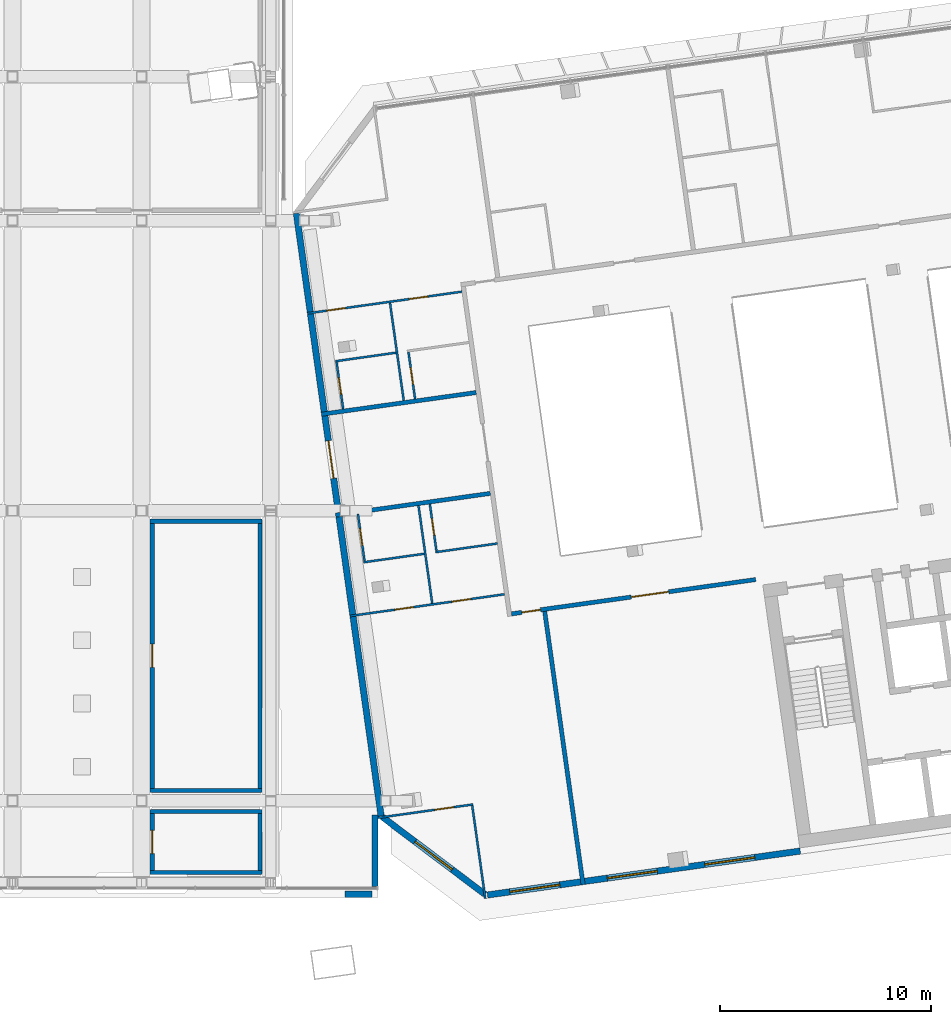
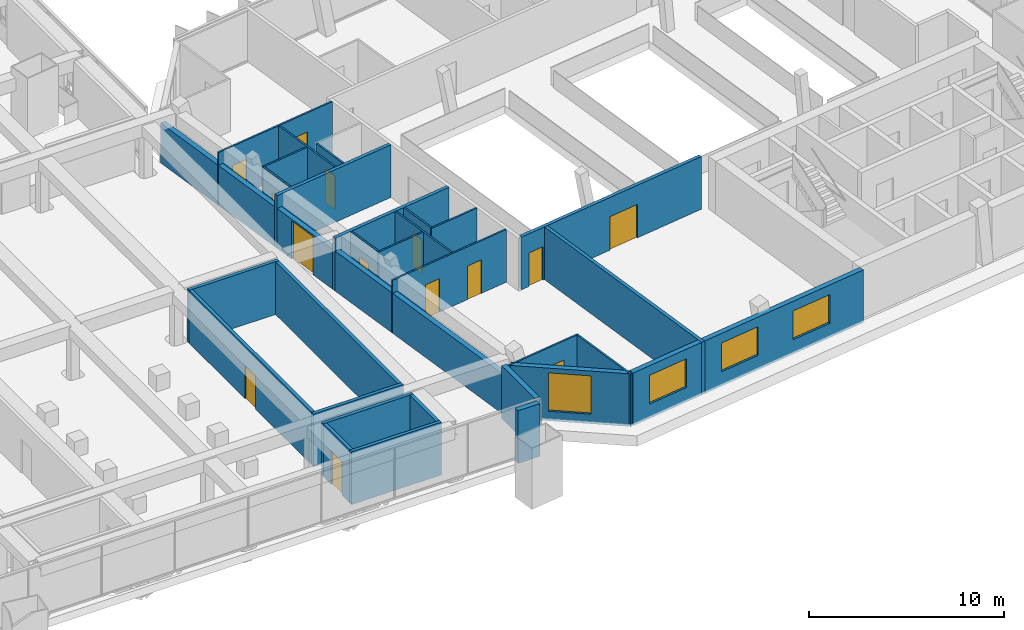
# One storey, part 18 of 28: 30 walls, 14 doors, 4 windows, 18 openings.
"""IFC4 building model written with IfcOpenShell, lengths in metres."""

import ifcopenshell
import ifcopenshell.guid

model = None  # the IFC model being written
_history = None  # IfcOwnerHistory: only IFC2X3 demands one
_inside = {}  # id of a spatial element -> (the spatial element, [elements in it])
_under = {}  # id of a project, library or spatial element -> (it, [spatial elements below it])
_declared = {}  # id of a project -> (the project, [libraries it declares])
_typed = {}  # id of a type object -> (the type object, [elements of that type])
_made_of = {}  # id of a material, layer set ... -> (it, [elements and type objects made of it])


def new_model(schema):
    """Start an empty IFC model of exactly this schema.

    Asked for "IFC4X3", IfcOpenShell would pick the latest addendum, in which some entities
    have other attributes; the version numbers below select the first issue.
    IFC2X3 requires an IfcOwnerHistory on every rooted entity: one is made here for all.
    """
    global model, _history
    if schema == "IFC4X3":
        model = ifcopenshell.file(schema_version=(4, 3, 0, 0))
    else:
        model = ifcopenshell.file(schema=schema)
    _inside.clear()
    _under.clear()
    _declared.clear()
    _typed.clear()
    _made_of.clear()
    _history = None
    if model.schema == "IFC2X3":
        org = make("IfcOrganization", Name="unknown")
        user = make(
            "IfcPersonAndOrganization",
            ThePerson=make("IfcPerson", FamilyName="unknown"),
            TheOrganization=org,
        )
        app = make(
            "IfcApplication",
            ApplicationDeveloper=org,
            Version="unknown",
            ApplicationFullName="unknown",
            ApplicationIdentifier="unknown",
        )
        _history = make(
            "IfcOwnerHistory",
            OwningUser=user,
            OwningApplication=app,
            ChangeAction="ADDED",
            CreationDate=0,
        )
    return model


def make(cls, **values):
    """One entity of the class cls with the attributes given. An attribute that is None is left unset."""
    return model.create_entity(
        cls, **{name: value for name, value in values.items() if value is not None}
    )


def rooted(cls, **values):
    """An entity with a GlobalId (a new one), such as an element, a storey or a relation."""
    return make(cls, GlobalId=ifcopenshell.guid.new(), OwnerHistory=_history, **values)


def si_unit(unit_type, name, prefix=None):
    """IfcSIUnit, for example si_unit("LENGTHUNIT", "METRE", prefix="MILLI")."""
    return make("IfcSIUnit", UnitType=unit_type, Prefix=prefix, Name=name)


def assignment(units):
    """IfcUnitAssignment: the units of a project."""
    return None if units is None else make("IfcUnitAssignment", Units=units)


def point(xyz):
    """IfcCartesianPoint."""
    return None if xyz is None else make("IfcCartesianPoint", Coordinates=xyz)


def direction(xyz):
    """IfcDirection."""
    return None if xyz is None else make("IfcDirection", DirectionRatios=xyz)


def frame(location, z_axis=None, x_axis=None):
    """IfcAxis2Placement3D, a coordinate frame: its origin and axes. An axis left out is left unset."""
    return make(
        "IfcAxis2Placement3D",
        Location=point(location),
        Axis=direction(z_axis),
        RefDirection=direction(x_axis),
    )


def frame_2d(location, x_axis=None):
    """IfcAxis2Placement2D, a coordinate frame in the plane: its origin and x axis."""
    return make(
        "IfcAxis2Placement2D", Location=point(location), RefDirection=direction(x_axis)
    )


def origin():
    """The frame at (0, 0, 0) with its axes left unset."""
    return frame((0.0, 0.0, 0.0))


def place(relative_to, where):
    """IfcLocalPlacement: puts the frame where relative to a parent placement (None: the world)."""
    return make(
        "IfcLocalPlacement", PlacementRelTo=relative_to, RelativePlacement=where
    )


def context(
    kind, dimensions, precision=None, world=None, true_north=None, identifier=None
):
    """IfcGeometricRepresentationContext, for example the 3D "Model" context."""
    return make(
        "IfcGeometricRepresentationContext",
        ContextIdentifier=identifier,
        ContextType=kind,
        CoordinateSpaceDimension=dimensions,
        Precision=precision,
        WorldCoordinateSystem=world,
        TrueNorth=true_north,
    )


def subcontext(parent, identifier, kind, view, scale=None):
    """IfcGeometricRepresentationSubContext, for example "Body" below "Model"."""
    return make(
        "IfcGeometricRepresentationSubContext",
        ContextIdentifier=identifier,
        ContextType=kind,
        ParentContext=parent,
        TargetScale=scale,
        TargetView=view,
    )


def project(units=None, contexts=None):
    """IfcProject with its units and contexts."""
    return rooted(
        "IfcProject",
        Name="project",
        RepresentationContexts=contexts,
        UnitsInContext=assignment(units),
    )


def spatial(cls, under=None, at=None, **own):
    """A site, building, storey or space (cls), placed at a placement, below another one or the project."""
    s = rooted(cls, ObjectPlacement=at, **own)
    if under is not None:
        _under.setdefault(under.id(), (under, []))[1].append(s)
    return s


def profile(cls, at=None, kind="AREA", **sizes):
    """A parametric profile (cls). Its sizes go by their IFC names, for example OverallWidth=200.0."""
    return make(cls, ProfileType=kind, Position=at, **sizes)


def rectangle(**sizes):
    """IfcRectangleProfileDef."""
    return profile("IfcRectangleProfileDef", **sizes)


def extrude(swept, where, along, depth):
    """IfcExtrudedAreaSolid: the profile swept, set in the frame where, extruded along a direction by depth."""
    return make(
        "IfcExtrudedAreaSolid",
        SweptArea=swept,
        Position=where,
        ExtrudedDirection=direction(along),
        Depth=depth,
    )


def shape(context_of_items, identifier, shape_type, items):
    """IfcShapeRepresentation: the items that make up one representation, for example the "Body"."""
    return make(
        "IfcShapeRepresentation",
        ContextOfItems=context_of_items,
        RepresentationIdentifier=identifier,
        RepresentationType=shape_type,
        Items=items,
    )


def material(Name=None, Category=None):
    """IfcMaterial."""
    return make("IfcMaterial", Name=Name, Category=Category)


def layer(
    of_material, thickness, ventilated=None, Name=None, Category=None, Priority=None
):
    """IfcMaterialLayer: one layer of a wall or slab, of a material (None: an air gap)."""
    return make(
        "IfcMaterialLayer",
        Material=of_material,
        LayerThickness=thickness,
        IsVentilated=ventilated,
        Name=Name,
        Category=Category,
        Priority=Priority,
    )


def layer_set(layers, Name=None):
    """IfcMaterialLayerSet."""
    return make("IfcMaterialLayerSet", MaterialLayers=layers, LayerSetName=Name)


def made_of(thing, what):
    """Note that an element or type object is made of a material, layer set ...; save() writes the relation."""
    if what is not None:
        _made_of.setdefault(what.id(), (what, []))[1].append(thing)
    return thing


def type_object(cls, material=None, **own):
    """A type object (cls), such as IfcWallType, which elements share."""
    return made_of(rooted(cls, **own), material)


def element(
    cls,
    number,
    at=None,
    inside=None,
    cuts=None,
    type_object=None,
    material=None,
    context=None,
    identifier="Body",
    shape_type=None,
    held_by="IfcProductDefinitionShape",
    body=None,
    shapes=None,
    **own,
):
    """One element of the class cls, such as IfcWall. Its Tag is "e" and its number.

    at: its placement. inside: the storey or other place that contains it. cuts: it is an
    opening in that element (IfcRelVoidsElement). A single representation is given by context,
    identifier, shape_type and body (its items); several are given by shapes. held_by: the class
    of the entity that holds the representations. save() writes the other relations.
    """
    e = rooted(cls, Tag="e%d" % number, ObjectPlacement=at, **own)
    if body is not None:
        shapes = [shape(context, identifier, shape_type, body)]
    if shapes is not None:
        e.Representation = make(held_by, Representations=shapes)
    if inside is not None:
        _inside.setdefault(inside.id(), (inside, []))[1].append(e)
    if cuts is not None:
        rooted(
            "IfcRelVoidsElement", RelatingBuildingElement=cuts, RelatedOpeningElement=e
        )
    if type_object is not None:
        _typed.setdefault(type_object.id(), (type_object, []))[1].append(e)
    return made_of(e, material)


def fill(opening, filler):
    """IfcRelFillsElement: the door or window that sits in an opening."""
    return rooted(
        "IfcRelFillsElement",
        RelatingOpeningElement=opening,
        RelatedBuildingElement=filler,
    )


def aggregate(whole, parts):
    """IfcRelAggregates: a whole, such as a stair, and the parts it consists of."""
    return rooted("IfcRelAggregates", RelatingObject=whole, RelatedObjects=parts)


def save(model, path):
    """Write the relations noted so far, then the file.

    IfcRelAggregates (storeys below a building ...), IfcRelContainedInSpatialStructure (elements
    in a storey), IfcRelDefinesByType, IfcRelAssociatesMaterial and IfcRelDeclares: one each for
    every whole, place, type object, material and project.
    """
    for whole, parts in _under.values():
        aggregate(whole, parts)
    for where, things in _inside.values():
        rooted(
            "IfcRelContainedInSpatialStructure",
            RelatedElements=things,
            RelatingStructure=where,
        )
    for kind, things in _typed.values():
        rooted("IfcRelDefinesByType", RelatedObjects=things, RelatingType=kind)
    for what, things in _made_of.values():
        rooted("IfcRelAssociatesMaterial", RelatedObjects=things, RelatingMaterial=what)
    for by, libraries in _declared.values():
        rooted("IfcRelDeclares", RelatingContext=by, RelatedDefinitions=libraries)
    model.write(path)


model = new_model("IFC4")

# Units and contexts
model_context = context("Model", 3, precision=1e-05, world=origin(), true_north=direction((0.0, 1.0)))
body_context = subcontext(model_context, "Body", "Model", "MODEL_VIEW")
ifc_project = project(units=[si_unit("LENGTHUNIT", "METRE"), si_unit("AREAUNIT", "SQUARE_METRE"), si_unit("VOLUMEUNIT", "CUBIC_METRE"), si_unit("PLANEANGLEUNIT", "RADIAN"), si_unit("MASSUNIT", "GRAM", prefix="KILO")], contexts=[model_context])

# Site, building, storey
site_placement = place(None, origin())
site = spatial("IfcSite", under=ifc_project, at=site_placement, CompositionType="ELEMENT")
building_placement = place(site_placement, origin())
building = spatial("IfcBuilding", under=site, at=building_placement, Name="Mirante Cascada Hotel Towers", CompositionType="ELEMENT")
storey_placement = place(building_placement, frame((0.0, 0.0, 262.2)))
storey = spatial("IfcBuildingStorey", under=building, at=storey_placement, Name="L63", CompositionType="ELEMENT", Elevation=262.2)

# Wall, openings, doors
ifc_material_1 = material(Name="Fire-rated plasterboard on metal studs")
ifc_layer_1 = layer(ifc_material_1, 0.2)
ifc_layer_set_1 = layer_set([ifc_layer_1], Name="Compartment wall 200 EI 120")
wall_type_1 = type_object("IfcWallType", Name="Compartment wall 200 EI 120", PredefinedType="PARTITIONING", material=ifc_layer_set_1)
wall_1_placement = place(storey_placement, frame((35.2634, -7.1173, 0.0), z_axis=(0.0, 0.0, 1.0), x_axis=(-0.9902683, -0.1391714, 0.0)))
wall_1 = element("IfcWall", 1, at=wall_1_placement, inside=storey, type_object=wall_type_1, Name="Wall 2-L63-03", PredefinedType="PARTITIONING", context=body_context, shape_type="SweptSolid", body=[
    extrude(rectangle(XDim=11.7, YDim=0.2, at=frame_2d((5.85, 0.0))), origin(), (0.0, 0.0, 1.0), 3.3),
])
opening_1_placement = place(wall_1_placement, frame((10.3122, 0.0, 0.0)))
opening_1 = element("IfcOpeningElement", 2, at=opening_1_placement, cuts=wall_1, Name="Opening D2-L63-02", PredefinedType="OPENING", context=body_context, shape_type="SweptSolid", body=[
    extrude(rectangle(XDim=0.9, YDim=2.1, at=frame_2d((0.45, 1.05))), frame((0.0, 0.1, 0.0), z_axis=(0.0, -1.0, 0.0), x_axis=(1.0, 0.0, 0.0)), (0.0, 0.0, 1.0), 0.2),
])
opening_2_placement = place(wall_1_placement, frame((4.1623, 0.0, 0.0)))
opening_2 = element("IfcOpeningElement", 3, at=opening_2_placement, cuts=wall_1, Name="Opening D2-L63-03", PredefinedType="OPENING", context=body_context, shape_type="SweptSolid", body=[
    extrude(rectangle(XDim=1.8, YDim=2.1, at=frame_2d((0.9, 1.05))), frame((0.0, 0.1, 0.0), z_axis=(0.0, -1.0, 0.0), x_axis=(1.0, 0.0, 0.0)), (0.0, 0.0, 1.0), 0.2),
])
ifc_material_2 = material(Name="Fire-rated timber door leaf", Category="wood")
door_type_1 = type_object("IfcDoorType", Name="Room door DG3 900x2100 EI 60", OperationType="SINGLE_SWING_LEFT", PredefinedType="DOOR", material=ifc_material_2)
door_1_placement = place(opening_1_placement, origin())
door_1 = element("IfcDoor", 4, at=door_1_placement, inside=storey, type_object=door_type_1, Name="Door D2-L63-02", OperationType="SINGLE_SWING_LEFT", OverallHeight=2.1, OverallWidth=0.9, PredefinedType="DOOR", context=body_context, shape_type="SweptSolid", body=[
    extrude(rectangle(XDim=0.9, YDim=2.1, at=frame_2d((0.45, 1.05))), frame((0.0, 0.025, 0.0), z_axis=(0.0, -1.0, 0.0), x_axis=(1.0, 0.0, 0.0)), (0.0, 0.0, 1.0), 0.05),
])
fill(opening_1, door_1)
ifc_material_3 = material(Name="Fire-rated timber door leaf", Category="wood")
door_type_2 = type_object("IfcDoorType", Name="Suite double door DG2 1800x2100 EI 60", OperationType="DOUBLE_DOOR_SINGLE_SWING", PredefinedType="DOOR", material=ifc_material_3)
door_2_placement = place(opening_2_placement, origin())
door_2 = element("IfcDoor", 5, at=door_2_placement, inside=storey, type_object=door_type_2, Name="Door D2-L63-03", OperationType="DOUBLE_DOOR_SINGLE_SWING", OverallHeight=2.1, OverallWidth=1.8, PredefinedType="DOOR", context=body_context, shape_type="SweptSolid", body=[
    extrude(rectangle(XDim=0.895, YDim=2.1, at=frame_2d((0.4475, 1.05))), frame((0.0, 0.025, 0.0), z_axis=(0.0, -1.0, 0.0), x_axis=(1.0, 0.0, 0.0)), (0.0, 0.0, 1.0), 0.05),
    extrude(rectangle(XDim=0.895, YDim=2.1, at=frame_2d((1.3525, 1.05))), frame((0.0, 0.025, 0.0), z_axis=(0.0, -1.0, 0.0), x_axis=(1.0, 0.0, 0.0)), (0.0, 0.0, 1.0), 0.05),
])
fill(opening_2, door_2)

# Walls
for number, where, z_axis, x_axis, name in (
    (6, (22.672, -3.0299, 0.0), (0.0, 0.0, 1.0), (-0.9902691, -0.1391657, 0.0), "Wall 2-L63-09"),
    (7, (14.6595, 0.7248, 0.0), (0.0, 0.0, 1.0), (0.9902672, 0.139179, 0.0), "Wall 2-L63-10"),
):
    element("IfcWall", number, at=place(storey_placement, frame(where, z_axis=z_axis, x_axis=x_axis)), inside=storey, type_object=wall_type_1, Name=name, PredefinedType="PARTITIONING", context=body_context, shape_type="SweptSolid", body=[
        extrude(rectangle(XDim=7.412, YDim=0.2, at=frame_2d((3.706, 0.0))), origin(), (0.0, 0.0, 1.0), 3.3),
    ])
wall_2_placement = place(storey_placement, frame((27.0745, -21.5979, 0.0), z_axis=(0.0, 0.0, 1.0), x_axis=(-0.1391682, 0.9902688, 0.0)))
element("IfcWall", 8, at=wall_2_placement, inside=storey, type_object=wall_type_1, Name="Wall 2-L63-34", PredefinedType="PARTITIONING", context=body_context, shape_type="SweptSolid", body=[
    extrude(rectangle(XDim=13.1, YDim=0.2, at=frame_2d((6.55, 0.0))), origin(), (0.0, 0.0, 1.0), 3.3),
])
ifc_material_4 = material(Name="Masonry block", Category="masonry")
ifc_layer_2 = layer(ifc_material_4, 0.2)
ifc_layer_set_2 = layer_set([ifc_layer_2], Name="Deck room wall 200 block EI 120")
wall_type_2 = type_object("IfcWallType", Name="Deck room wall 200 block EI 120", PredefinedType="PARTITIONING", material=ifc_layer_set_2)
for number, where, z_axis, x_axis, name in (
    (9, (6.53, -21.02, 0.0), (0.0, 0.0, 1.0), (1.0, 0.0, 0.0), "Sky park fire wall L63 W9"),
    (10, (6.53, -18.12, 0.0), (0.0, 0.0, 1.0), (1.0, 0.0, 0.0), "Sky park fire wall L63 W10"),
):
    element("IfcWall", number, at=place(storey_placement, frame(where, z_axis=z_axis, x_axis=x_axis)), inside=storey, type_object=wall_type_2, Name=name, PredefinedType="PARTITIONING", context=body_context, shape_type="SweptSolid", body=[
        extrude(rectangle(XDim=5.32, YDim=0.2, at=frame_2d((2.66, 0.0))), origin(), (0.0, 0.0, 1.0), 3.3),
    ])

# Wall, opening, door
wall_3_placement = place(storey_placement, frame((6.63, -20.92, 0.0), z_axis=(0.0, 0.0, 1.0), x_axis=(0.0, 1.0, 0.0)))
wall_3 = element("IfcWall", 11, at=wall_3_placement, inside=storey, type_object=wall_type_2, Name="Sky park fire wall L63 W11", PredefinedType="PARTITIONING", context=body_context, shape_type="SweptSolid", body=[
    extrude(rectangle(XDim=2.7, YDim=0.2, at=frame_2d((1.35, 0.0))), origin(), (0.0, 0.0, 1.0), 3.3),
])
opening_3_placement = place(wall_3_placement, frame((0.8, 0.0, 0.0)))
opening_3 = element("IfcOpeningElement", 12, at=opening_3_placement, cuts=wall_3, Name="Opening DD-63-03", PredefinedType="OPENING", context=body_context, shape_type="SweptSolid", body=[
    extrude(rectangle(XDim=1.1, YDim=2.1, at=frame_2d((0.55, 1.05))), frame((0.0, 0.1, 0.0), z_axis=(0.0, -1.0, 0.0), x_axis=(1.0, 0.0, 0.0)), (0.0, 0.0, 1.0), 0.2),
])
ifc_material_5 = material(Name="Hollow metal fire door leaf")
door_type_3 = type_object("IfcDoorType", Name="Fire door 1100x2100 FD60 self-closing", OperationType="NOTDEFINED", PredefinedType="DOOR", material=ifc_material_5)
door_3_placement = place(opening_3_placement, frame((1.1, 0.0, 0.0), z_axis=(0.0, 0.0, 1.0), x_axis=(-1.0, 0.0, 0.0)))
door_3 = element("IfcDoor", 13, at=door_3_placement, inside=storey, type_object=door_type_3, Name="Fire door sky park L63 d3", OperationType="SINGLE_SWING_LEFT", OverallHeight=2.1, OverallWidth=1.1, PredefinedType="DOOR", context=body_context, shape_type="SweptSolid", body=[
    extrude(rectangle(XDim=1.1, YDim=2.1, at=frame_2d((0.55, 1.05))), frame((0.0, 0.025, 0.0), z_axis=(0.0, -1.0, 0.0), x_axis=(1.0, 0.0, 0.0)), (0.0, 0.0, 1.0), 0.05),
])
fill(opening_3, door_3)

# Walls
wall_4_placement = place(storey_placement, frame((11.75, -20.92, 0.0), z_axis=(0.0, 0.0, 1.0), x_axis=(0.0, 1.0, 0.0)))
element("IfcWall", 14, at=wall_4_placement, inside=storey, type_object=wall_type_2, Name="Sky park fire wall L63 W12", PredefinedType="PARTITIONING", context=body_context, shape_type="SweptSolid", body=[
    extrude(rectangle(XDim=2.7, YDim=0.2, at=frame_2d((1.35, 0.0))), origin(), (0.0, 0.0, 1.0), 3.3),
])
for number, where, z_axis, x_axis, name in (
    (15, (6.53, -17.12, 0.0), (0.0, 0.0, 1.0), (1.0, 0.0, 0.0), "Sky park fire wall L63 W13"),
    (16, (6.53, -4.35, 0.0), (0.0, 0.0, 1.0), (1.0, 0.0, 0.0), "Sky park fire wall L63 W14"),
):
    element("IfcWall", number, at=place(storey_placement, frame(where, z_axis=z_axis, x_axis=x_axis)), inside=storey, type_object=wall_type_2, Name=name, PredefinedType="PARTITIONING", context=body_context, shape_type="SweptSolid", body=[
        extrude(rectangle(XDim=5.32, YDim=0.2, at=frame_2d((2.66, 0.0))), origin(), (0.0, 0.0, 1.0), 3.3),
    ])

# Wall, opening, door
wall_5_placement = place(storey_placement, frame((6.63, -17.02, 0.0), z_axis=(0.0, 0.0, 1.0), x_axis=(0.0, 1.0, 0.0)))
wall_5 = element("IfcWall", 17, at=wall_5_placement, inside=storey, type_object=wall_type_2, Name="Sky park fire wall L63 W15", PredefinedType="PARTITIONING", context=body_context, shape_type="SweptSolid", body=[
    extrude(rectangle(XDim=12.57, YDim=0.2, at=frame_2d((6.285, 0.0))), origin(), (0.0, 0.0, 1.0), 3.3),
])
opening_4_placement = place(wall_5_placement, frame((5.735, 0.0, 0.0)))
opening_4 = element("IfcOpeningElement", 18, at=opening_4_placement, cuts=wall_5, Name="Opening DD-63-04", PredefinedType="OPENING", context=body_context, shape_type="SweptSolid", body=[
    extrude(rectangle(XDim=1.1, YDim=2.1, at=frame_2d((0.55, 1.05))), frame((0.0, 0.1, 0.0), z_axis=(0.0, -1.0, 0.0), x_axis=(1.0, 0.0, 0.0)), (0.0, 0.0, 1.0), 0.2),
])
door_4_placement = place(opening_4_placement, frame((1.1, 0.0, 0.0), z_axis=(0.0, 0.0, 1.0), x_axis=(-1.0, 0.0, 0.0)))
door_4 = element("IfcDoor", 19, at=door_4_placement, inside=storey, type_object=door_type_3, Name="Fire door sky park L63 d4", OperationType="SINGLE_SWING_LEFT", OverallHeight=2.1, OverallWidth=1.1, PredefinedType="DOOR", context=body_context, shape_type="SweptSolid", body=[
    extrude(rectangle(XDim=1.1, YDim=2.1, at=frame_2d((0.55, 1.05))), frame((0.0, 0.025, 0.0), z_axis=(0.0, -1.0, 0.0), x_axis=(1.0, 0.0, 0.0)), (0.0, 0.0, 1.0), 0.05),
])
fill(opening_4, door_4)

# Wall
wall_6_placement = place(storey_placement, frame((11.75, -17.02, 0.0), z_axis=(0.0, 0.0, 1.0), x_axis=(0.0, 1.0, 0.0)))
element("IfcWall", 20, at=wall_6_placement, inside=storey, type_object=wall_type_2, Name="Sky park fire wall L63 W16", PredefinedType="PARTITIONING", context=body_context, shape_type="SweptSolid", body=[
    extrude(rectangle(XDim=12.57, YDim=0.2, at=frame_2d((6.285, 0.0))), origin(), (0.0, 0.0, 1.0), 3.3),
])

# Wall, opening, door
ifc_material_6 = material(Name="Plasterboard on metal studs")
ifc_layer_3 = layer(ifc_material_6, 0.1)
ifc_layer_set_3 = layer_set([ifc_layer_3], Name="Partition 100")
wall_type_3 = type_object("IfcWallType", Name="Partition 100", PredefinedType="PARTITIONING", material=ifc_layer_set_3)
wall_7_placement = place(storey_placement, frame((21.8559, -17.7871, 0.0), z_axis=(0.0, 0.0, 1.0), x_axis=(-0.9902691, -0.1391656, 0.0)))
wall_7 = element("IfcWall", 21, at=wall_7_placement, inside=storey, type_object=wall_type_3, Name="Wall 2-L63-01", PredefinedType="PARTITIONING", context=body_context, shape_type="SweptSolid", body=[
    extrude(rectangle(XDim=4.55, YDim=0.1, at=frame_2d((2.275, 0.0))), origin(), (0.0, 0.0, 1.0), 3.3),
])
opening_5_placement = place(wall_7_placement, frame((0.9352, 0.0, 0.0)))
opening_5 = element("IfcOpeningElement", 22, at=opening_5_placement, cuts=wall_7, Name="Opening D2-L63-01", PredefinedType="OPENING", context=body_context, shape_type="SweptSolid", body=[
    extrude(rectangle(XDim=0.9, YDim=2.1, at=frame_2d((0.45, 1.05))), frame((0.0, 0.05, 0.0), z_axis=(0.0, -1.0, 0.0), x_axis=(1.0, 0.0, 0.0)), (0.0, 0.0, 1.0), 0.1),
])
ifc_material_7 = material(Name="Timber door leaf", Category="wood")
door_type_4 = type_object("IfcDoorType", Name="Room door DG3 900x2100", OperationType="SINGLE_SWING_LEFT", PredefinedType="DOOR", material=ifc_material_7)
door_5_placement = place(opening_5_placement, frame((0.9, 0.0, 0.0), z_axis=(0.0, 0.0, 1.0), x_axis=(-1.0, 0.0, 0.0)))
door_5 = element("IfcDoor", 23, at=door_5_placement, inside=storey, type_object=door_type_4, Name="Door D2-L63-01", OperationType="SINGLE_SWING_RIGHT", OverallHeight=2.1, OverallWidth=0.9, PredefinedType="DOOR", context=body_context, shape_type="SweptSolid", body=[
    extrude(rectangle(XDim=0.9, YDim=2.1, at=frame_2d((0.45, 1.05))), frame((0.0, 0.025, 0.0), z_axis=(0.0, -1.0, 0.0), x_axis=(1.0, 0.0, 0.0)), (0.0, 0.0, 1.0), 0.05),
])
fill(opening_5, door_5)

# Wall, openings, doors
wall_8_placement = place(storey_placement, frame((16.0048, -8.8477, 0.0), z_axis=(0.0, 0.0, 1.0), x_axis=(0.9902672, 0.139179, 0.0)))
wall_8 = element("IfcWall", 24, at=wall_8_placement, inside=storey, type_object=wall_type_3, Name="Wall 2-L63-04", PredefinedType="PARTITIONING", context=body_context, shape_type="SweptSolid", body=[
    extrude(rectangle(XDim=7.412, YDim=0.1, at=frame_2d((3.706, 0.0))), origin(), (0.0, 0.0, 1.0), 3.3),
])
opening_6_placement = place(wall_8_placement, frame((2.15, 0.0, 0.0)))
opening_6 = element("IfcOpeningElement", 25, at=opening_6_placement, cuts=wall_8, Name="Opening D2-L63-04", PredefinedType="OPENING", context=body_context, shape_type="SweptSolid", body=[
    extrude(rectangle(XDim=0.9, YDim=2.1, at=frame_2d((0.45, 1.05))), frame((0.0, 0.05, 0.0), z_axis=(0.0, -1.0, 0.0), x_axis=(1.0, 0.0, 0.0)), (0.0, 0.0, 1.0), 0.1),
])
opening_7_placement = place(wall_8_placement, frame((4.884, 0.0, 0.0)))
opening_7 = element("IfcOpeningElement", 26, at=opening_7_placement, cuts=wall_8, Name="Opening D2-L63-05", PredefinedType="OPENING", context=body_context, shape_type="SweptSolid", body=[
    extrude(rectangle(XDim=0.9, YDim=2.1, at=frame_2d((0.45, 1.05))), frame((0.0, 0.05, 0.0), z_axis=(0.0, -1.0, 0.0), x_axis=(1.0, 0.0, 0.0)), (0.0, 0.0, 1.0), 0.1),
])
door_6_placement = place(opening_6_placement, frame((0.9, 0.0, 0.0), z_axis=(0.0, 0.0, 1.0), x_axis=(-1.0, 0.0, 0.0)))
door_6 = element("IfcDoor", 27, at=door_6_placement, inside=storey, type_object=door_type_4, Name="Door D2-L63-04", OperationType="SINGLE_SWING_RIGHT", OverallHeight=2.1, OverallWidth=0.9, PredefinedType="DOOR", context=body_context, shape_type="SweptSolid", body=[
    extrude(rectangle(XDim=0.9, YDim=2.1, at=frame_2d((0.45, 1.05))), frame((0.0, 0.025, 0.0), z_axis=(0.0, -1.0, 0.0), x_axis=(1.0, 0.0, 0.0)), (0.0, 0.0, 1.0), 0.05),
])
fill(opening_6, door_6)
door_7_placement = place(opening_7_placement, frame((0.9, 0.0, 0.0), z_axis=(0.0, 0.0, 1.0), x_axis=(-1.0, 0.0, 0.0)))
door_7 = element("IfcDoor", 28, at=door_7_placement, inside=storey, type_object=door_type_4, Name="Door D2-L63-05", OperationType="SINGLE_SWING_RIGHT", OverallHeight=2.1, OverallWidth=0.9, PredefinedType="DOOR", context=body_context, shape_type="SweptSolid", body=[
    extrude(rectangle(XDim=0.9, YDim=2.1, at=frame_2d((0.45, 1.05))), frame((0.0, 0.025, 0.0), z_axis=(0.0, -1.0, 0.0), x_axis=(1.0, 0.0, 0.0)), (0.0, 0.0, 1.0), 0.05),
])
fill(opening_7, door_7)

# Walls
wall_9_placement = place(storey_placement, frame((19.5342, -5.8945, 0.0), z_axis=(0.0, 0.0, 1.0), x_axis=(-0.9902683, -0.1391714, 0.0)))
element("IfcWall", 29, at=wall_9_placement, inside=storey, type_object=wall_type_3, Name="Wall 2-L63-07", PredefinedType="PARTITIONING", context=body_context, shape_type="SweptSolid", body=[
    extrude(rectangle(XDim=2.9, YDim=0.1, at=frame_2d((1.45, 0.0))), origin(), (0.0, 0.0, 1.0), 3.3),
])
wall_10_placement = place(storey_placement, frame((20.0729, -5.8188, 0.0), z_axis=(0.0, 0.0, 1.0), x_axis=(0.9902644, 0.1391995, 0.0)))
element("IfcWall", 30, at=wall_10_placement, inside=storey, type_object=wall_type_3, Name="Wall 2-L63-08", PredefinedType="PARTITIONING", context=body_context, shape_type="SweptSolid", body=[
    extrude(rectangle(XDim=2.9619, YDim=0.1, at=frame_2d((1.481, 0.0))), origin(), (0.0, 0.0, 1.0), 3.3),
])
wall_11_placement = place(storey_placement, frame((18.1935, 3.6451, 0.0), z_axis=(0.0, 0.0, 1.0), x_axis=(-0.9902683, -0.1391714, 0.0)))
element("IfcWall", 31, at=wall_11_placement, inside=storey, type_object=wall_type_3, Name="Wall 2-L63-11", PredefinedType="PARTITIONING", context=body_context, shape_type="SweptSolid", body=[
    extrude(rectangle(XDim=2.9, YDim=0.1, at=frame_2d((1.45, 0.0))), origin(), (0.0, 0.0, 1.0), 3.3),
])

# Wall, openings, doors
wall_12_placement = place(storey_placement, frame((21.3267, 6.5427, 0.0), z_axis=(0.0, 0.0, 1.0), x_axis=(-0.9902691, -0.1391657, 0.0)))
wall_12 = element("IfcWall", 32, at=wall_12_placement, inside=storey, type_object=wall_type_3, Name="Wall 2-L63-13", PredefinedType="PARTITIONING", context=body_context, shape_type="SweptSolid", body=[
    extrude(rectangle(XDim=7.412, YDim=0.1, at=frame_2d((3.706, 0.0))), origin(), (0.0, 0.0, 1.0), 3.3),
])
opening_8_placement = place(wall_12_placement, frame((5.584, 0.0, 0.0)))
opening_8 = element("IfcOpeningElement", 33, at=opening_8_placement, cuts=wall_12, Name="Opening D2-L63-06", PredefinedType="OPENING", context=body_context, shape_type="SweptSolid", body=[
    extrude(rectangle(XDim=0.9, YDim=2.1, at=frame_2d((0.45, 1.05))), frame((0.0, 0.05, 0.0), z_axis=(0.0, -1.0, 0.0), x_axis=(1.0, 0.0, 0.0)), (0.0, 0.0, 1.0), 0.1),
])
opening_9_placement = place(wall_12_placement, frame((1.628, 0.0, 0.0)))
opening_9 = element("IfcOpeningElement", 34, at=opening_9_placement, cuts=wall_12, Name="Opening D2-L63-07", PredefinedType="OPENING", context=body_context, shape_type="SweptSolid", body=[
    extrude(rectangle(XDim=0.9, YDim=2.1, at=frame_2d((0.45, 1.05))), frame((0.0, 0.05, 0.0), z_axis=(0.0, -1.0, 0.0), x_axis=(1.0, 0.0, 0.0)), (0.0, 0.0, 1.0), 0.1),
])
door_8_placement = place(opening_8_placement, frame((0.9, 0.0, 0.0), z_axis=(0.0, 0.0, 1.0), x_axis=(-1.0, 0.0, 0.0)))
door_8 = element("IfcDoor", 35, at=door_8_placement, inside=storey, type_object=door_type_4, Name="Door D2-L63-06", OperationType="SINGLE_SWING_RIGHT", OverallHeight=2.1, OverallWidth=0.9, PredefinedType="DOOR", context=body_context, shape_type="SweptSolid", body=[
    extrude(rectangle(XDim=0.9, YDim=2.1, at=frame_2d((0.45, 1.05))), frame((0.0, 0.025, 0.0), z_axis=(0.0, -1.0, 0.0), x_axis=(1.0, 0.0, 0.0)), (0.0, 0.0, 1.0), 0.05),
])
fill(opening_8, door_8)
door_9_placement = place(opening_9_placement, frame((0.9, 0.0, 0.0), z_axis=(0.0, 0.0, 1.0), x_axis=(-1.0, 0.0, 0.0)))
door_9 = element("IfcDoor", 36, at=door_9_placement, inside=storey, type_object=door_type_4, Name="Door D2-L63-07", OperationType="SINGLE_SWING_RIGHT", OverallHeight=2.1, OverallWidth=0.9, PredefinedType="DOOR", context=body_context, shape_type="SweptSolid", body=[
    extrude(rectangle(XDim=0.9, YDim=2.1, at=frame_2d((0.45, 1.05))), frame((0.0, 0.025, 0.0), z_axis=(0.0, -1.0, 0.0), x_axis=(1.0, 0.0, 0.0)), (0.0, 0.0, 1.0), 0.05),
])
fill(opening_9, door_9)

# Wall, opening, door
wall_13_placement = place(storey_placement, frame((16.3918, -4.0135, 0.0), z_axis=(0.0, 0.0, 1.0), x_axis=(0.1391561, -0.9902705, 0.0)))
wall_13 = element("IfcWall", 37, at=wall_13_placement, inside=storey, type_object=wall_type_3, Name="Wall 2-L63-25", PredefinedType="PARTITIONING", context=body_context, shape_type="SweptSolid", body=[
    extrude(rectangle(XDim=2.25, YDim=0.1, at=frame_2d((1.125, 0.0))), origin(), (0.0, 0.0, 1.0), 3.3),
])
opening_10_placement = place(wall_13_placement, frame((0.7, 0.0, 0.0)))
opening_10 = element("IfcOpeningElement", 38, at=opening_10_placement, cuts=wall_13, Name="Opening D2-L63-18", PredefinedType="OPENING", context=body_context, shape_type="SweptSolid", body=[
    extrude(rectangle(XDim=0.8, YDim=2.1, at=frame_2d((0.4, 1.05))), frame((0.0, 0.05, 0.0), z_axis=(0.0, -1.0, 0.0), x_axis=(1.0, 0.0, 0.0)), (0.0, 0.0, 1.0), 0.1),
])
ifc_material_8 = material(Name="Timber door leaf", Category="wood")
door_type_5 = type_object("IfcDoorType", Name="Bathroom door DG4 800x2100", OperationType="SINGLE_SWING_LEFT", PredefinedType="DOOR", material=ifc_material_8)
door_10_placement = place(opening_10_placement, origin())
door_10 = element("IfcDoor", 39, at=door_10_placement, inside=storey, type_object=door_type_5, Name="Door D2-L63-18", OperationType="SINGLE_SWING_LEFT", OverallHeight=2.1, OverallWidth=0.8, PredefinedType="DOOR", context=body_context, shape_type="SweptSolid", body=[
    extrude(rectangle(XDim=0.8, YDim=2.1, at=frame_2d((0.4, 1.05))), frame((0.0, 0.025, 0.0), z_axis=(0.0, -1.0, 0.0), x_axis=(1.0, 0.0, 0.0)), (0.0, 0.0, 1.0), 0.05),
])
fill(opening_10, door_10)

wall_14_placement = place(storey_placement, frame((15.6913, 0.9708, 0.0), z_axis=(0.0, 0.0, 1.0), x_axis=(-0.1391561, 0.9902705, 0.0)))
wall_14 = element("IfcWall", 40, at=wall_14_placement, inside=storey, type_object=wall_type_3, Name="Wall 2-L63-26", PredefinedType="PARTITIONING", context=body_context, shape_type="SweptSolid", body=[
    extrude(rectangle(XDim=2.25, YDim=0.1, at=frame_2d((1.125, 0.0))), origin(), (0.0, 0.0, 1.0), 3.3),
])
opening_11_placement = place(wall_14_placement, frame((0.7, 0.0, 0.0)))
opening_11 = element("IfcOpeningElement", 41, at=opening_11_placement, cuts=wall_14, Name="Opening D2-L63-19", PredefinedType="OPENING", context=body_context, shape_type="SweptSolid", body=[
    extrude(rectangle(XDim=0.8, YDim=2.1, at=frame_2d((0.4, 1.05))), frame((0.0, 0.05, 0.0), z_axis=(0.0, -1.0, 0.0), x_axis=(1.0, 0.0, 0.0)), (0.0, 0.0, 1.0), 0.1),
])
door_11_placement = place(opening_11_placement, frame((0.8, 0.0, 0.0), z_axis=(0.0, 0.0, 1.0), x_axis=(-1.0, 0.0, 0.0)))
door_11 = element("IfcDoor", 42, at=door_11_placement, inside=storey, type_object=door_type_5, Name="Door D2-L63-19", OperationType="SINGLE_SWING_RIGHT", OverallHeight=2.1, OverallWidth=0.8, PredefinedType="DOOR", context=body_context, shape_type="SweptSolid", body=[
    extrude(rectangle(XDim=0.8, YDim=2.1, at=frame_2d((0.4, 1.05))), frame((0.0, 0.025, 0.0), z_axis=(0.0, -1.0, 0.0), x_axis=(1.0, 0.0, 0.0)), (0.0, 0.0, 1.0), 0.05),
])
fill(opening_11, door_11)

# Walls
wall_15_placement = place(storey_placement, frame((19.2636, -3.6099, 0.0), z_axis=(0.0, 0.0, 1.0), x_axis=(0.139176, -0.9902677, 0.0)))
element("IfcWall", 43, at=wall_15_placement, inside=storey, type_object=wall_type_3, Name="Wall 2-L63-27", PredefinedType="PARTITIONING", context=body_context, shape_type="SweptSolid", body=[
    extrude(rectangle(XDim=4.6833, YDim=0.1, at=frame_2d((2.3416, 0.0))), origin(), (0.0, 0.0, 1.0), 3.3),
])
wall_16_placement = place(storey_placement, frame((18.5631, 1.3744, 0.0), z_axis=(0.0, 0.0, 1.0), x_axis=(-0.139173, 0.9902681, 0.0)))
element("IfcWall", 44, at=wall_16_placement, inside=storey, type_object=wall_type_3, Name="Wall 2-L63-28", PredefinedType="PARTITIONING", context=body_context, shape_type="SweptSolid", body=[
    extrude(rectangle(XDim=4.6834, YDim=0.1, at=frame_2d((2.3417, 0.0))), origin(), (0.0, 0.0, 1.0), 3.3),
])
wall_17_placement = place(storey_placement, frame((21.8133, -17.8436, 0.0), z_axis=(0.0, 0.0, 1.0), x_axis=(0.1391715, -0.9902683, 0.0)))
element("IfcWall", 45, at=wall_17_placement, inside=storey, type_object=wall_type_3, Name="Wall 2-L63-29", PredefinedType="PARTITIONING", context=body_context, shape_type="SweptSolid", body=[
    extrude(rectangle(XDim=4.4499, YDim=0.1, at=frame_2d((2.225, 0.0))), origin(), (0.0, 0.0, 1.0), 3.3),
])

# Wall, opening, door
wall_18_placement = place(storey_placement, frame((20.1154, -5.7623, 0.0), z_axis=(0.0, 0.0, 1.0), x_axis=(-0.1391561, 0.9902705, 0.0)))
wall_18 = element("IfcWall", 46, at=wall_18_placement, inside=storey, type_object=wall_type_3, Name="Wall 2-L63-30", PredefinedType="PARTITIONING", context=body_context, shape_type="SweptSolid", body=[
    extrude(rectangle(XDim=2.25, YDim=0.1, at=frame_2d((1.125, 0.0))), origin(), (0.0, 0.0, 1.0), 3.3),
])
opening_12_placement = place(wall_18_placement, frame((0.75, 0.0, 0.0)))
opening_12 = element("IfcOpeningElement", 47, at=opening_12_placement, cuts=wall_18, Name="Opening D2-L63-20", PredefinedType="OPENING", context=body_context, shape_type="SweptSolid", body=[
    extrude(rectangle(XDim=0.8, YDim=2.1, at=frame_2d((0.4, 1.05))), frame((0.0, 0.05, 0.0), z_axis=(0.0, -1.0, 0.0), x_axis=(1.0, 0.0, 0.0)), (0.0, 0.0, 1.0), 0.1),
])
door_12_placement = place(opening_12_placement, frame((0.8, 0.0, 0.0), z_axis=(0.0, 0.0, 1.0), x_axis=(-1.0, 0.0, 0.0)))
door_12 = element("IfcDoor", 48, at=door_12_placement, inside=storey, type_object=door_type_5, Name="Door D2-L63-20", OperationType="SINGLE_SWING_RIGHT", OverallHeight=2.1, OverallWidth=0.8, PredefinedType="DOOR", context=body_context, shape_type="SweptSolid", body=[
    extrude(rectangle(XDim=0.8, YDim=2.1, at=frame_2d((0.4, 1.05))), frame((0.0, 0.025, 0.0), z_axis=(0.0, -1.0, 0.0), x_axis=(1.0, 0.0, 0.0)), (0.0, 0.0, 1.0), 0.05),
])
fill(opening_12, door_12)

wall_19_placement = place(storey_placement, frame((18.7886, 3.6782, 0.0), z_axis=(0.0, 0.0, 1.0), x_axis=(0.1391997, -0.9902643, 0.0)))
wall_19 = element("IfcWall", 49, at=wall_19_placement, inside=storey, type_object=wall_type_3, Name="Wall 2-L63-31", PredefinedType="PARTITIONING", context=body_context, shape_type="SweptSolid", body=[
    extrude(rectangle(XDim=2.25, YDim=0.1, at=frame_2d((1.125, 0.0))), origin(), (0.0, 0.0, 1.0), 3.3),
])
opening_13_placement = place(wall_19_placement, frame((0.75, 0.0, 0.0)))
opening_13 = element("IfcOpeningElement", 50, at=opening_13_placement, cuts=wall_19, Name="Opening D2-L63-21", PredefinedType="OPENING", context=body_context, shape_type="SweptSolid", body=[
    extrude(rectangle(XDim=0.8, YDim=2.1, at=frame_2d((0.4, 1.05))), frame((0.0, 0.05, 0.0), z_axis=(0.0, -1.0, 0.0), x_axis=(1.0, 0.0, 0.0)), (0.0, 0.0, 1.0), 0.1),
])
door_13_placement = place(opening_13_placement, origin())
door_13 = element("IfcDoor", 51, at=door_13_placement, inside=storey, type_object=door_type_5, Name="Door D2-L63-21", OperationType="SINGLE_SWING_LEFT", OverallHeight=2.1, OverallWidth=0.8, PredefinedType="DOOR", context=body_context, shape_type="SweptSolid", body=[
    extrude(rectangle(XDim=0.8, YDim=2.1, at=frame_2d((0.4, 1.05))), frame((0.0, 0.025, 0.0), z_axis=(0.0, -1.0, 0.0), x_axis=(1.0, 0.0, 0.0)), (0.0, 0.0, 1.0), 0.05),
])
fill(opening_13, door_13)

# Wall, openings, windows
ifc_material_9 = material(Name="Precast concrete C40/50", Category="concrete")
ifc_layer_4 = layer(ifc_material_9, 0.3)
ifc_layer_set_4 = layer_set([ifc_layer_4], Name="Precast concrete C40/50 cladding wall 300")
wall_type_4 = type_object("IfcWallType", Name="Precast concrete C40/50 cladding wall 300", PredefinedType="STANDARD", material=ifc_layer_set_4)
wall_20_placement = place(storey_placement, frame((22.5347, -22.0844, 0.0), z_axis=(0.0, 0.0, 1.0), x_axis=(0.9902681, 0.1391726, 0.0)))
wall_20 = element("IfcWall", 52, at=wall_20_placement, inside=storey, type_object=wall_type_4, Name="Rear cladding wall T2 L63 1", PredefinedType="STANDARD", context=body_context, shape_type="SweptSolid", body=[
    extrude(rectangle(XDim=14.9879, YDim=0.3, at=frame_2d((7.494, 0.0))), origin(), (0.0, 0.0, 1.0), 3.3),
])
opening_14_placement = place(wall_20_placement, frame((1.0728, 0.0, 0.9)))
opening_14 = element("IfcOpeningElement", 53, at=opening_14_placement, cuts=wall_20, Name="Opening W2-63-01", PredefinedType="OPENING", context=body_context, shape_type="SweptSolid", body=[
    extrude(rectangle(XDim=2.4, YDim=1.8, at=frame_2d((1.2, 0.9))), frame((0.0, 0.15, 0.0), z_axis=(0.0, -1.0, 0.0), x_axis=(1.0, 0.0, 0.0)), (0.0, 0.0, 1.0), 0.3),
])
opening_15_placement = place(wall_20_placement, frame((5.7425, 0.0, 0.9)))
opening_15 = element("IfcOpeningElement", 54, at=opening_15_placement, cuts=wall_20, Name="Opening W2-63-02", PredefinedType="OPENING", context=body_context, shape_type="SweptSolid", body=[
    extrude(rectangle(XDim=2.4, YDim=1.8, at=frame_2d((1.2, 0.9))), frame((0.0, 0.15, 0.0), z_axis=(0.0, -1.0, 0.0), x_axis=(1.0, 0.0, 0.0)), (0.0, 0.0, 1.0), 0.3),
])
opening_16_placement = place(wall_20_placement, frame((10.4122, 0.0, 0.9)))
opening_16 = element("IfcOpeningElement", 55, at=opening_16_placement, cuts=wall_20, Name="Opening W2-63-03", PredefinedType="OPENING", context=body_context, shape_type="SweptSolid", body=[
    extrude(rectangle(XDim=2.4, YDim=1.8, at=frame_2d((1.2, 0.9))), frame((0.0, 0.15, 0.0), z_axis=(0.0, -1.0, 0.0), x_axis=(1.0, 0.0, 0.0)), (0.0, 0.0, 1.0), 0.3),
])
ifc_material_10 = material(Name="Aluminium frame with clear double glazing", Category="aluminium")
window_type_1 = type_object("IfcWindowType", Name="Punched window 2400x1800", PartitioningType="DOUBLE_PANEL_VERTICAL", PredefinedType="WINDOW", material=ifc_material_10)
window_1_placement = place(opening_14_placement, origin())
window_1 = element("IfcWindow", 56, at=window_1_placement, inside=storey, type_object=window_type_1, Name="Window W2-63-01", OverallHeight=1.8, OverallWidth=2.4, PartitioningType="SINGLE_PANEL", PredefinedType="WINDOW", context=body_context, shape_type="SweptSolid", body=[
    extrude(rectangle(XDim=2.4, YDim=1.8, at=frame_2d((1.2, 0.9))), frame((0.0, 0.03, 0.0), z_axis=(0.0, -1.0, 0.0), x_axis=(1.0, 0.0, 0.0)), (0.0, 0.0, 1.0), 0.06),
])
fill(opening_14, window_1)
window_2_placement = place(opening_15_placement, origin())
window_2 = element("IfcWindow", 57, at=window_2_placement, inside=storey, type_object=window_type_1, Name="Window W2-63-02", OverallHeight=1.8, OverallWidth=2.4, PartitioningType="SINGLE_PANEL", PredefinedType="WINDOW", context=body_context, shape_type="SweptSolid", body=[
    extrude(rectangle(XDim=2.4, YDim=1.8, at=frame_2d((1.2, 0.9))), frame((0.0, 0.03, 0.0), z_axis=(0.0, -1.0, 0.0), x_axis=(1.0, 0.0, 0.0)), (0.0, 0.0, 1.0), 0.06),
])
fill(opening_15, window_2)
window_3_placement = place(opening_16_placement, origin())
window_3 = element("IfcWindow", 58, at=window_3_placement, inside=storey, type_object=window_type_1, Name="Window W2-63-03", OverallHeight=1.8, OverallWidth=2.4, PartitioningType="SINGLE_PANEL", PredefinedType="WINDOW", context=body_context, shape_type="SweptSolid", body=[
    extrude(rectangle(XDim=2.4, YDim=1.8, at=frame_2d((1.2, 0.9))), frame((0.0, 0.03, 0.0), z_axis=(0.0, -1.0, 0.0), x_axis=(1.0, 0.0, 0.0)), (0.0, 0.0, 1.0), 0.06),
])
fill(opening_16, window_3)

# Wall, opening, window
wall_21_placement = place(storey_placement, frame((17.5396, -18.3752, 0.0), z_axis=(0.0, 0.0, 1.0), x_axis=(0.7986362, -0.6018141, 0.0)))
wall_21 = element("IfcWall", 59, at=wall_21_placement, inside=storey, type_object=wall_type_4, Name="Corner cladding wall T2 L63 inner rear", PredefinedType="STANDARD", context=body_context, shape_type="SweptSolid", body=[
    extrude(rectangle(XDim=6.1157, YDim=0.3, at=frame_2d((3.0578, 0.0))), origin(), (0.0, 0.0, 1.0), 3.3),
])
opening_17_placement = place(wall_21_placement, frame((1.9578, 0.0, 0.6)))
opening_17 = element("IfcOpeningElement", 60, at=opening_17_placement, cuts=wall_21, Name="Opening W2-63-07", PredefinedType="OPENING", context=body_context, shape_type="SweptSolid", body=[
    extrude(rectangle(XDim=2.2, YDim=2.4, at=frame_2d((1.1, 1.2))), frame((0.0, 0.15, 0.0), z_axis=(0.0, -1.0, 0.0), x_axis=(1.0, 0.0, 0.0)), (0.0, 0.0, 1.0), 0.3),
])
ifc_material_11 = material(Name="Aluminium frame with clear double glazing", Category="aluminium")
window_type_2 = type_object("IfcWindowType", Name="Corner suite window 2200x2400", PartitioningType="DOUBLE_PANEL_VERTICAL", PredefinedType="WINDOW", material=ifc_material_11)
window_4_placement = place(opening_17_placement, origin())
window_4 = element("IfcWindow", 61, at=window_4_placement, inside=storey, type_object=window_type_2, Name="Window W2-63-07", OverallHeight=2.4, OverallWidth=2.2, PartitioningType="SINGLE_PANEL", PredefinedType="WINDOW", context=body_context, shape_type="SweptSolid", body=[
    extrude(rectangle(XDim=2.2, YDim=2.4, at=frame_2d((1.1, 1.2))), frame((0.0, 0.03, 0.0), z_axis=(0.0, -1.0, 0.0), x_axis=(1.0, 0.0, 0.0)), (0.0, 0.0, 1.0), 0.06),
])
fill(opening_17, window_4)

# Walls
wall_22_placement = place(storey_placement, frame((17.2002, -18.2903, 0.0), z_axis=(0.0, 0.0, 1.0), x_axis=(0.0, -1.0, 0.0)))
element("IfcWall", 62, at=wall_22_placement, inside=storey, type_object=wall_type_4, Name="Corner closure wall L63 1.1", PredefinedType="STANDARD", context=body_context, shape_type="SweptSolid", body=[
    extrude(rectangle(XDim=3.3822, YDim=0.3, at=frame_2d((1.6911, 0.0))), origin(), (0.0, 0.0, 1.0), 3.3),
])
wall_23_placement = place(storey_placement, frame((17.0502, -22.0525, 0.0), z_axis=(0.0, 0.0, 1.0), x_axis=(-1.0, 0.0, 0.0)))
element("IfcWall", 63, at=wall_23_placement, inside=storey, type_object=wall_type_4, Name="Corner closure wall L63 2.2", PredefinedType="STANDARD", context=body_context, shape_type="SweptSolid", body=[
    extrude(rectangle(XDim=1.2802, YDim=0.3, at=frame_2d((0.6401, 0.0))), origin(), (0.0, 0.0, 1.0), 3.3),
])

# Wall, opening, door
ifc_material_12 = material(Name="Precast concrete C40/50", Category="concrete")
ifc_layer_5 = layer(ifc_material_12, 0.3)
ifc_layer_set_5 = layer_set([ifc_layer_5], Name="Precast concrete C40/50 link wall 300 EI 120")
wall_type_5 = type_object("IfcWallType", Name="Precast concrete C40/50 link wall 300 EI 120", PredefinedType="STANDARD", material=ifc_layer_set_5)
wall_24_placement = place(storey_placement, frame((13.4714, 10.2568, 0.0), z_axis=(0.0, 0.0, 1.0), x_axis=(0.1391723, -0.9902682, 0.0)))
wall_24 = element("IfcWall", 64, at=wall_24_placement, inside=storey, type_object=wall_type_5, Name="Link end wall T2 L63", PredefinedType="STANDARD", context=body_context, shape_type="SweptSolid", body=[
    extrude(rectangle(XDim=28.8757, YDim=0.3, at=frame_2d((14.4378, 0.0))), origin(), (0.0, 0.0, 1.0), 2.5),
])
opening_18_placement = place(wall_24_placement, frame((10.9008, 0.0, 0.0)))
opening_18 = element("IfcOpeningElement", 65, at=opening_18_placement, cuts=wall_24, Name="Opening D2-63-91", PredefinedType="OPENING", context=body_context, shape_type="SweptSolid", body=[
    extrude(rectangle(XDim=1.8, YDim=2.4, at=frame_2d((0.9, 1.2))), frame((0.0, 0.15, 0.0), z_axis=(0.0, -1.0, 0.0), x_axis=(1.0, 0.0, 0.0)), (0.0, 0.0, 1.0), 0.3),
])
ifc_material_13 = material(Name="Steel fire door leaf with glazed vision panel", Category="steel")
door_type_6 = type_object("IfcDoorType", Name="Link fire door 1800x2400 FD60", OperationType="DOUBLE_DOOR_SINGLE_SWING", PredefinedType="DOOR", material=ifc_material_13)
door_14_placement = place(opening_18_placement, frame((1.8, 0.0, 0.0), z_axis=(0.0, 0.0, 1.0), x_axis=(-1.0, 0.0, 0.0)))
door_14 = element("IfcDoor", 66, at=door_14_placement, inside=storey, type_object=door_type_6, Name="Link fire door D2-63-91", OperationType="DOUBLE_DOOR_SINGLE_SWING", OverallHeight=2.4, OverallWidth=1.8, PredefinedType="DOOR", context=body_context, shape_type="SweptSolid", body=[
    extrude(rectangle(XDim=0.895, YDim=2.4, at=frame_2d((0.4475, 1.2))), frame((0.0, 0.025, 0.0), z_axis=(0.0, -1.0, 0.0), x_axis=(1.0, 0.0, 0.0)), (0.0, 0.0, 1.0), 0.05),
    extrude(rectangle(XDim=0.895, YDim=2.4, at=frame_2d((1.3525, 1.2))), frame((0.0, 0.025, 0.0), z_axis=(0.0, -1.0, 0.0), x_axis=(1.0, 0.0, 0.0)), (0.0, 0.0, 1.0), 0.05),
])
fill(opening_18, door_14)

save(model, "model.ifc")
